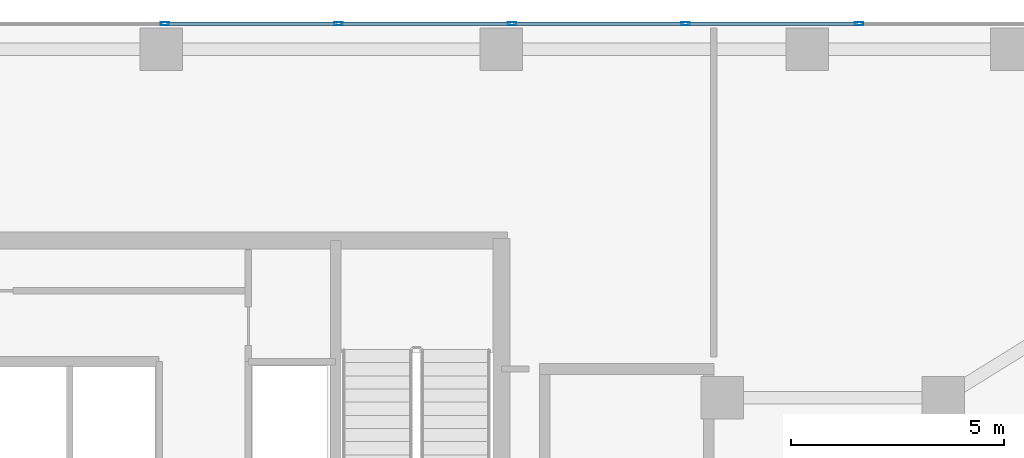
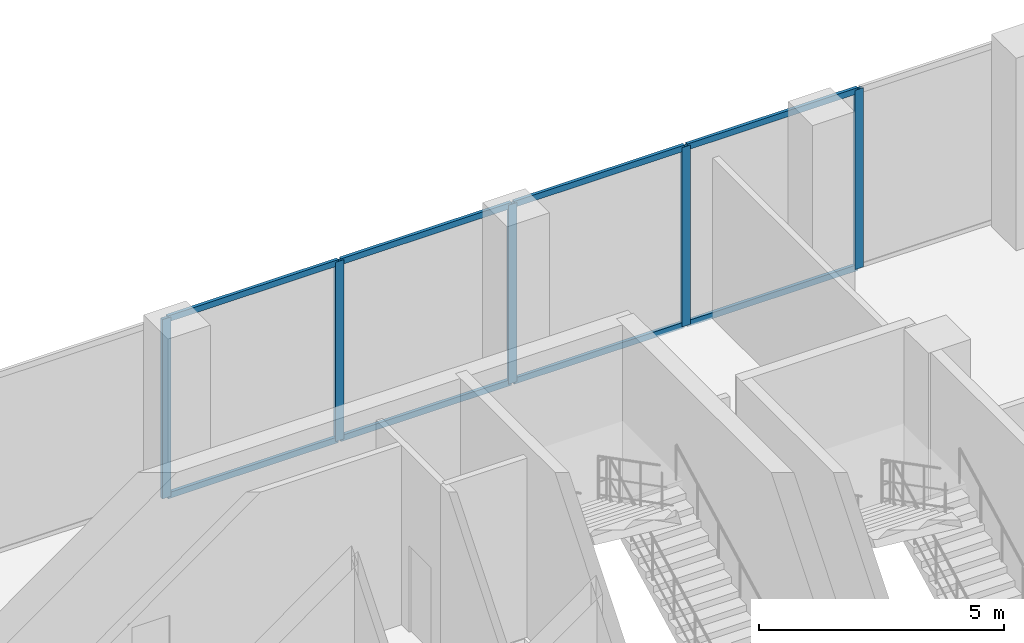
# One storey, part 18 of 24: 13 members, 1 element without a shape of its own.
"""IFC4 building model written with IfcOpenShell, lengths in metres."""

from ifc_helpers import new_model, si_unit, direction, frame, origin, origin_2d, place, context, subcontext, project, spatial, hollow_rectangle, extrude, material, layer, layer_set, material_profile, profile_set, type_object, element, aggregate, save


model = new_model("IFC4")

# Units and contexts
model_context = context("Model", 3, precision=1e-05, world=origin(), true_north=direction((0.0, 1.0)))
body_context = subcontext(model_context, "Body", "Model", "MODEL_VIEW")
ifc_project = project(units=[si_unit("LENGTHUNIT", "METRE"), si_unit("AREAUNIT", "SQUARE_METRE"), si_unit("VOLUMEUNIT", "CUBIC_METRE"), si_unit("PLANEANGLEUNIT", "RADIAN"), si_unit("MASSUNIT", "GRAM", prefix="KILO")], contexts=[model_context])

# Site, building, storey
site_placement = place(None, origin())
site = spatial("IfcSite", under=ifc_project, at=site_placement, CompositionType="ELEMENT")
building_placement = place(site_placement, origin())
building = spatial("IfcBuilding", under=site, at=building_placement, Name="Catumbela Crestline Tower", CompositionType="ELEMENT")
storey_placement = place(building_placement, frame((0.0, 0.0, 11.1)))
storey = spatial("IfcBuildingStorey", under=building, at=storey_placement, Name="L02", CompositionType="ELEMENT", Elevation=11.1)

# Curtain wall, members
ifc_material = material(Name="Aluminium alloy AW-6060-T66", Category="aluminium")
ifc_layer = layer(ifc_material, 0.18, Name="Aluminium alloy AW-6060-T66")
ifc_layer_set = layer_set([ifc_layer], Name="Aluminium alloy AW-6060-T66")
curtain_wall_type = type_object("IfcCurtainWallType", Name="CWS-POD", PredefinedType="USERDEFINED", material=ifc_layer_set)
curtain_wall_placement = place(storey_placement, origin())
curtain_wall = element("IfcCurtainWall", 1, at=curtain_wall_placement, inside=storey, type_object=curtain_wall_type, Name="L02 Stick Curtain Wall CW-L02-E7S1", ObjectType="STICK", PredefinedType="USERDEFINED")
ifc_material_profile_1 = material_profile(ifc_material, hollow_rectangle(XDim=0.075, YDim=0.2, WallThickness=0.005, at=origin_2d()), Name="ALU 200x75x5")
ifc_profile_set_1 = profile_set([ifc_material_profile_1], Name="Aluminium alloy AW-6060-T66")
member_type_1 = type_object("IfcMemberType", Name="MUL-200X75", PredefinedType="MULLION", material=ifc_profile_set_1)
member_1_placement = place(storey_placement, frame((48.4167, 48.0, 0.0), z_axis=(0.0, 0.0, 1.0), x_axis=(0.0, -1.0, 0.0)))
member_1 = element("IfcMember", 2, at=member_1_placement, type_object=member_type_1, Name="CWS-POD mullion 2", PredefinedType="MULLION", context=body_context, shape_type="SweptSolid", body=[
    extrude(hollow_rectangle(XDim=0.075, YDim=0.2, WallThickness=0.005, at=origin_2d()), origin(), (0.0, 0.0, 1.0), 4.47),
])
member_2_placement = place(storey_placement, frame((44.3333, 48.0, 0.0), z_axis=(0.0, 0.0, 1.0), x_axis=(0.0, -1.0, 0.0)))
member_2 = element("IfcMember", 3, at=member_2_placement, type_object=member_type_1, Name="CWS-POD mullion 3", PredefinedType="MULLION", context=body_context, shape_type="SweptSolid", body=[
    extrude(hollow_rectangle(XDim=0.075, YDim=0.2, WallThickness=0.005, at=origin_2d()), origin(), (0.0, 0.0, 1.0), 4.47),
])
member_3_placement = place(storey_placement, frame((40.25, 48.0, 0.0), z_axis=(0.0, 0.0, 1.0), x_axis=(0.0, -1.0, 0.0)))
member_3 = element("IfcMember", 4, at=member_3_placement, type_object=member_type_1, Name="CWS-POD mullion 4", PredefinedType="MULLION", context=body_context, shape_type="SweptSolid", body=[
    extrude(hollow_rectangle(XDim=0.075, YDim=0.2, WallThickness=0.005, at=origin_2d()), origin(), (0.0, 0.0, 1.0), 4.47),
])
member_4_placement = place(storey_placement, frame((36.1667, 48.0, 0.0), z_axis=(0.0, 0.0, 1.0), x_axis=(0.0, -1.0, 0.0)))
member_4 = element("IfcMember", 5, at=member_4_placement, type_object=member_type_1, Name="CWS-POD mullion 5", PredefinedType="MULLION", context=body_context, shape_type="SweptSolid", body=[
    extrude(hollow_rectangle(XDim=0.075, YDim=0.2, WallThickness=0.005, at=origin_2d()), origin(), (0.0, 0.0, 1.0), 4.47),
])
member_5_placement = place(storey_placement, frame((32.0833, 48.0, 0.0), z_axis=(0.0, 0.0, 1.0), x_axis=(0.0, -1.0, 0.0)))
member_5 = element("IfcMember", 6, at=member_5_placement, type_object=member_type_1, Name="CWS-POD mullion 6", PredefinedType="MULLION", context=body_context, shape_type="SweptSolid", body=[
    extrude(hollow_rectangle(XDim=0.075, YDim=0.2, WallThickness=0.005, at=origin_2d()), origin(), (0.0, 0.0, 1.0), 4.47),
])
ifc_material_profile_2 = material_profile(ifc_material, hollow_rectangle(XDim=0.075, YDim=0.15, WallThickness=0.0045, at=origin_2d()), Name="ALU 150x75x4.5")
ifc_profile_set_2 = profile_set([ifc_material_profile_2], Name="Aluminium alloy AW-6060-T66")
member_type_2 = type_object("IfcMemberType", Name="TRN-150X75", PredefinedType="USERDEFINED", material=ifc_profile_set_2)
member_6_placement = place(storey_placement, frame((48.3842, 48.0, 0.03), z_axis=(-1.0, 0.0, 0.0), x_axis=(0.0, -1.0, 0.0)))
member_6 = element("IfcMember", 7, at=member_6_placement, type_object=member_type_2, Name="CWS-POD transom 2.1", ObjectType="TRANSOM", PredefinedType="USERDEFINED", context=body_context, shape_type="SweptSolid", body=[
    extrude(hollow_rectangle(XDim=0.075, YDim=0.15, WallThickness=0.0045, at=origin_2d()), origin(), (0.0, 0.0, 1.0), 4.0184),
])
member_7_placement = place(storey_placement, frame((48.3842, 48.0, 4.44), z_axis=(-1.0, 0.0, 0.0), x_axis=(0.0, -1.0, 0.0)))
member_7 = element("IfcMember", 8, at=member_7_placement, type_object=member_type_2, Name="CWS-POD transom 2.2", ObjectType="TRANSOM", PredefinedType="USERDEFINED", context=body_context, shape_type="SweptSolid", body=[
    extrude(hollow_rectangle(XDim=0.075, YDim=0.15, WallThickness=0.0045, at=origin_2d()), origin(), (0.0, 0.0, 1.0), 4.0184),
])
member_8_placement = place(storey_placement, frame((44.3008, 48.0, 0.03), z_axis=(-1.0, 0.0, 0.0), x_axis=(0.0, -1.0, 0.0)))
member_8 = element("IfcMember", 9, at=member_8_placement, type_object=member_type_2, Name="CWS-POD transom 3.1", ObjectType="TRANSOM", PredefinedType="USERDEFINED", context=body_context, shape_type="SweptSolid", body=[
    extrude(hollow_rectangle(XDim=0.075, YDim=0.15, WallThickness=0.0045, at=origin_2d()), origin(), (0.0, 0.0, 1.0), 4.0183),
])
member_9_placement = place(storey_placement, frame((44.3008, 48.0, 4.44), z_axis=(-1.0, 0.0, 0.0), x_axis=(0.0, -1.0, 0.0)))
member_9 = element("IfcMember", 10, at=member_9_placement, type_object=member_type_2, Name="CWS-POD transom 3.2", ObjectType="TRANSOM", PredefinedType="USERDEFINED", context=body_context, shape_type="SweptSolid", body=[
    extrude(hollow_rectangle(XDim=0.075, YDim=0.15, WallThickness=0.0045, at=origin_2d()), origin(), (0.0, 0.0, 1.0), 4.0183),
])
member_10_placement = place(storey_placement, frame((40.2175, 48.0, 0.03), z_axis=(-1.0, 0.0, 0.0), x_axis=(0.0, -1.0, 0.0)))
member_10 = element("IfcMember", 11, at=member_10_placement, type_object=member_type_2, Name="CWS-POD transom 4.1", ObjectType="TRANSOM", PredefinedType="USERDEFINED", context=body_context, shape_type="SweptSolid", body=[
    extrude(hollow_rectangle(XDim=0.075, YDim=0.15, WallThickness=0.0045, at=origin_2d()), origin(), (0.0, 0.0, 1.0), 4.0183),
])
member_11_placement = place(storey_placement, frame((40.2175, 48.0, 4.44), z_axis=(-1.0, 0.0, 0.0), x_axis=(0.0, -1.0, 0.0)))
member_11 = element("IfcMember", 12, at=member_11_placement, type_object=member_type_2, Name="CWS-POD transom 4.2", ObjectType="TRANSOM", PredefinedType="USERDEFINED", context=body_context, shape_type="SweptSolid", body=[
    extrude(hollow_rectangle(XDim=0.075, YDim=0.15, WallThickness=0.0045, at=origin_2d()), origin(), (0.0, 0.0, 1.0), 4.0183),
])
member_12_placement = place(storey_placement, frame((36.1342, 48.0, 0.03), z_axis=(-1.0, 0.0, 0.0), x_axis=(0.0, -1.0, 0.0)))
member_12 = element("IfcMember", 13, at=member_12_placement, type_object=member_type_2, Name="CWS-POD transom 5.1", ObjectType="TRANSOM", PredefinedType="USERDEFINED", context=body_context, shape_type="SweptSolid", body=[
    extrude(hollow_rectangle(XDim=0.075, YDim=0.15, WallThickness=0.0045, at=origin_2d()), origin(), (0.0, 0.0, 1.0), 4.0184),
])
member_13_placement = place(storey_placement, frame((36.1342, 48.0, 4.44), z_axis=(-1.0, 0.0, 0.0), x_axis=(0.0, -1.0, 0.0)))
member_13 = element("IfcMember", 14, at=member_13_placement, type_object=member_type_2, Name="CWS-POD transom 5.2", ObjectType="TRANSOM", PredefinedType="USERDEFINED", context=body_context, shape_type="SweptSolid", body=[
    extrude(hollow_rectangle(XDim=0.075, YDim=0.15, WallThickness=0.0045, at=origin_2d()), origin(), (0.0, 0.0, 1.0), 4.0184),
])
aggregate(curtain_wall, [member_1, member_2, member_3, member_4, member_5, member_6, member_7, member_8, member_9, member_10, member_11, member_12, member_13])

save(model, "model.ifc")
